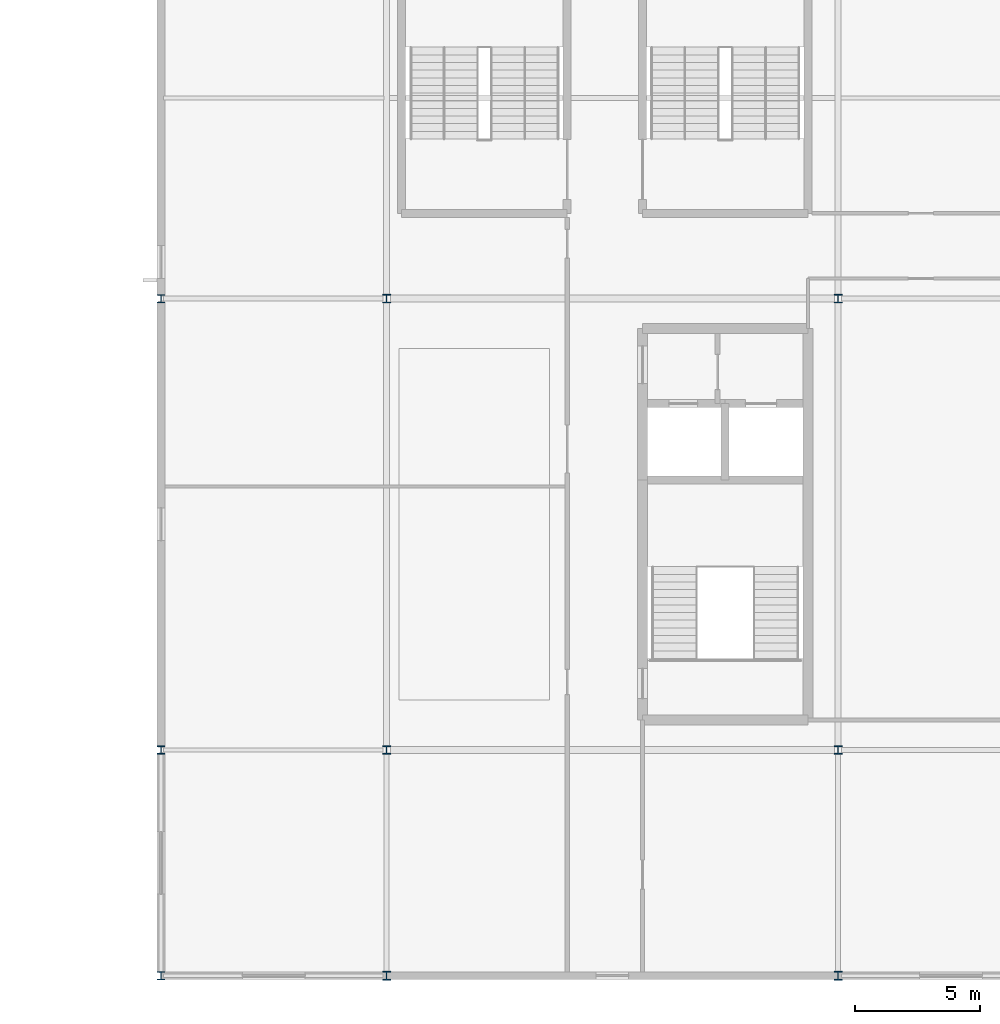
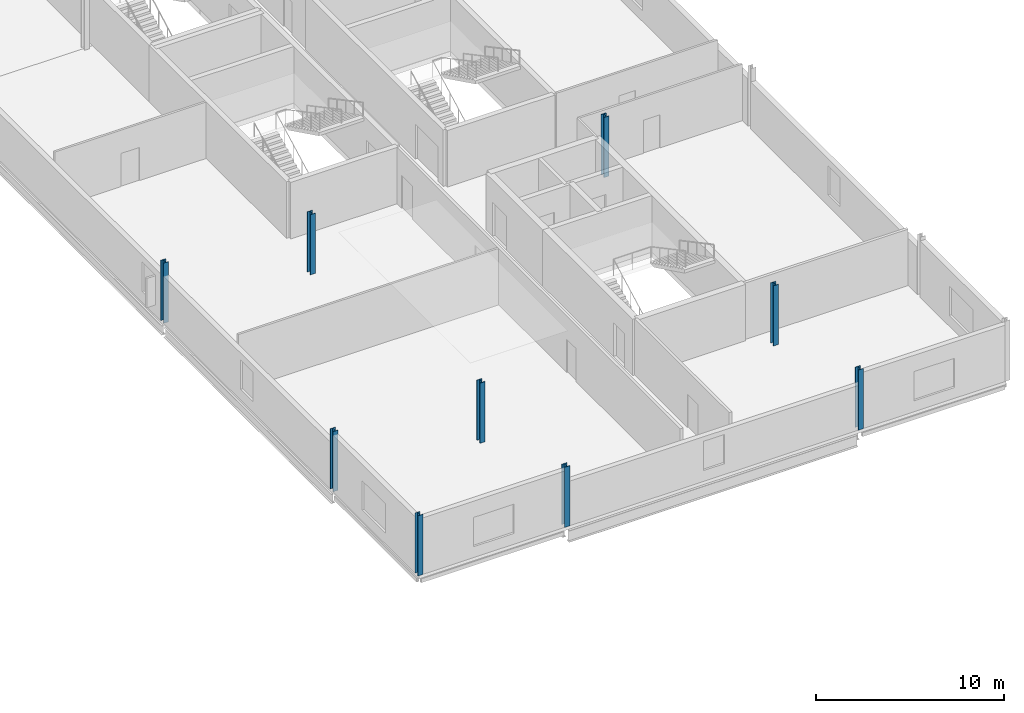
# One storey, part 4 of 27: 9 columns.
"""IFC4 building model written with IfcOpenShell, lengths in metres."""

from ifc_helpers import new_model, si_unit, direction, frame, origin, origin_2d, place, context, subcontext, project, spatial, i_section, extrude, material, material_profile, profile_set, type_object, element, save


model = new_model("IFC4")

# Units and contexts
model_context = context("Model", 3, precision=1e-05, world=origin(), true_north=direction((0.0, 1.0)))
body_context = subcontext(model_context, "Body", "Model", "MODEL_VIEW")
ifc_project = project(units=[si_unit("LENGTHUNIT", "METRE"), si_unit("AREAUNIT", "SQUARE_METRE"), si_unit("VOLUMEUNIT", "CUBIC_METRE"), si_unit("PLANEANGLEUNIT", "RADIAN"), si_unit("MASSUNIT", "GRAM", prefix="KILO")], contexts=[model_context])

# Site, building, storey
site_placement = place(None, origin())
site = spatial("IfcSite", under=ifc_project, at=site_placement, CompositionType="ELEMENT")
building_placement = place(site_placement, origin())
building = spatial("IfcBuilding", under=site, at=building_placement, Name="Kisiwana Market Hall", CompositionType="ELEMENT")
storey_placement = place(building_placement, frame((0.0, 0.0, 41.699951171875)))
storey = spatial("IfcBuildingStorey", under=building, at=storey_placement, Name="L09", CompositionType="ELEMENT", Elevation=41.699951171875)

# Columns
ifc_material_1 = material(Name="Steel S355", Category="steel")
ifc_material_profile_1 = material_profile(ifc_material_1, i_section(OverallWidth=0.30908203125, OverallDepth=0.320556640625, WebThickness=0.013916015625, FlangeThickness=0.021728515625, at=origin_2d()), Name="UC 305x305x137")
ifc_profile_set_1 = profile_set([ifc_material_profile_1], Name="Steel S355")
column_type_1 = type_object("IfcColumnType", Name="COL-STL-UC137", PredefinedType="COLUMN", material=ifc_profile_set_1)
for number, where, z_axis, x_axis, name in (
    (1, (162.0, 9.0, 0.0), (0.0, 0.0, 1.0), (1.0, 0.0, 0.0), "Column B/19 (L09) C-1236"),
    (2, (162.0, 18.0, 0.0), (0.0, 0.0, 1.0), (1.0, 0.0, 0.0), "Column C/19 (L09) C-1237"),
    (3, (162.0, 36.0, 0.0), (0.0, 0.0, 1.0), (1.0, 0.0, 0.0), "Column E/19 (L09) C-1238"),
):
    element("IfcColumn", number, at=place(storey_placement, frame(where, z_axis=z_axis, x_axis=x_axis)), inside=storey, type_object=column_type_1, Name=name, PredefinedType="COLUMN", context=body_context, shape_type="SweptSolid", body=[
        extrude(i_section(OverallWidth=0.30908203125, OverallDepth=0.320556640625, WebThickness=0.013916015625, FlangeThickness=0.021728515625, at=origin_2d()), origin(), (0.0, 0.0, 1.0), 3.900146484375),
    ])
ifc_material_2 = material(Name="Steel S355", Category="steel")
ifc_material_profile_2 = material_profile(ifc_material_2, i_section(OverallWidth=0.314453125, OverallDepth=0.33984375, WebThickness=0.01904296875, FlangeThickness=0.031494140625, at=origin_2d()), Name="UC 305x305x198")
ifc_profile_set_2 = profile_set([ifc_material_profile_2], Name="Steel S355")
column_type_2 = type_object("IfcColumnType", Name="COL-STL-UC198", PredefinedType="COLUMN", material=ifc_profile_set_2)
for number, where, z_axis, x_axis, name in (
    (4, (171.0, 9.0, 0.0), (0.0, 0.0, 1.0), (1.0, 0.0, 0.0), "Column B/20 (L09) C-1242"),
    (5, (171.0, 18.0, 0.0), (0.0, 0.0, 1.0), (1.0, 0.0, 0.0), "Column C/20 (L09) C-1243"),
    (6, (171.0, 36.0, 0.0), (0.0, 0.0, 1.0), (1.0, 0.0, 0.0), "Column E/20 (L09) C-1244"),
    (7, (189.0, 9.0, 0.0), (0.0, 0.0, 1.0), (1.0, 0.0, 0.0), "Column B/22 (L09) C-1249"),
    (8, (189.0, 18.0, 0.0), (0.0, 0.0, 1.0), (1.0, 0.0, 0.0), "Column C/22 (L09) C-1250"),
    (9, (189.0, 36.0, 0.0), (0.0, 0.0, 1.0), (1.0, 0.0, 0.0), "Column E/22 (L09) C-1251"),
):
    element("IfcColumn", number, at=place(storey_placement, frame(where, z_axis=z_axis, x_axis=x_axis)), inside=storey, type_object=column_type_2, Name=name, PredefinedType="COLUMN", context=body_context, shape_type="SweptSolid", body=[
        extrude(i_section(OverallWidth=0.314453125, OverallDepth=0.33984375, WebThickness=0.01904296875, FlangeThickness=0.031494140625, at=origin_2d()), origin(), (0.0, 0.0, 1.0), 3.900146484375),
    ])

save(model, "model.ifc")
